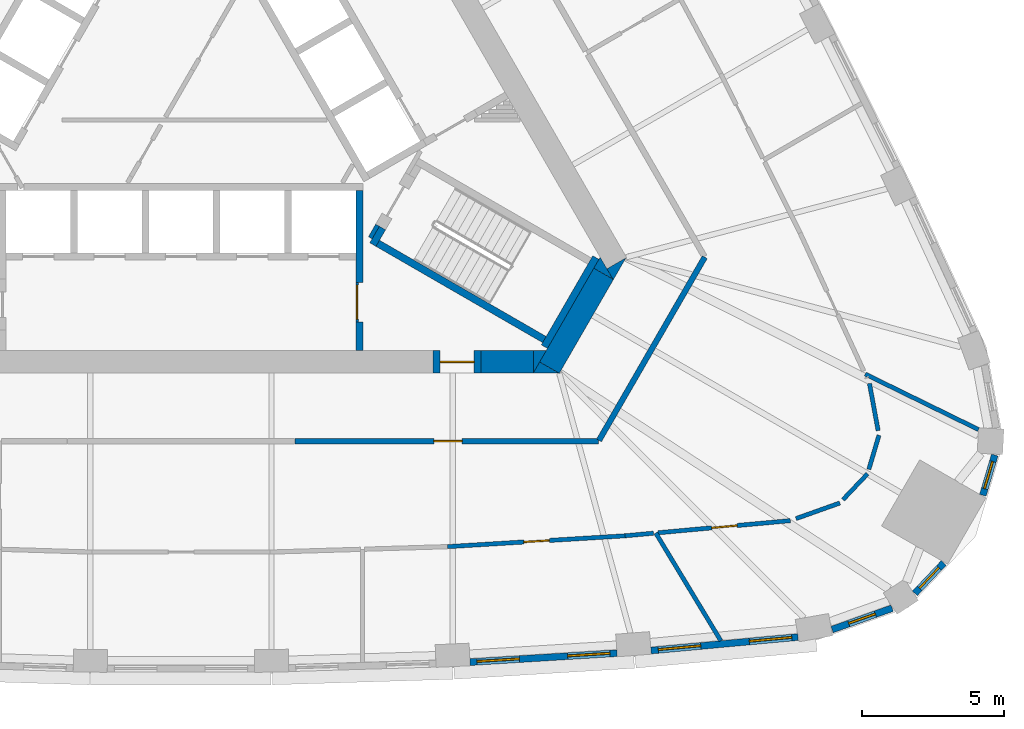
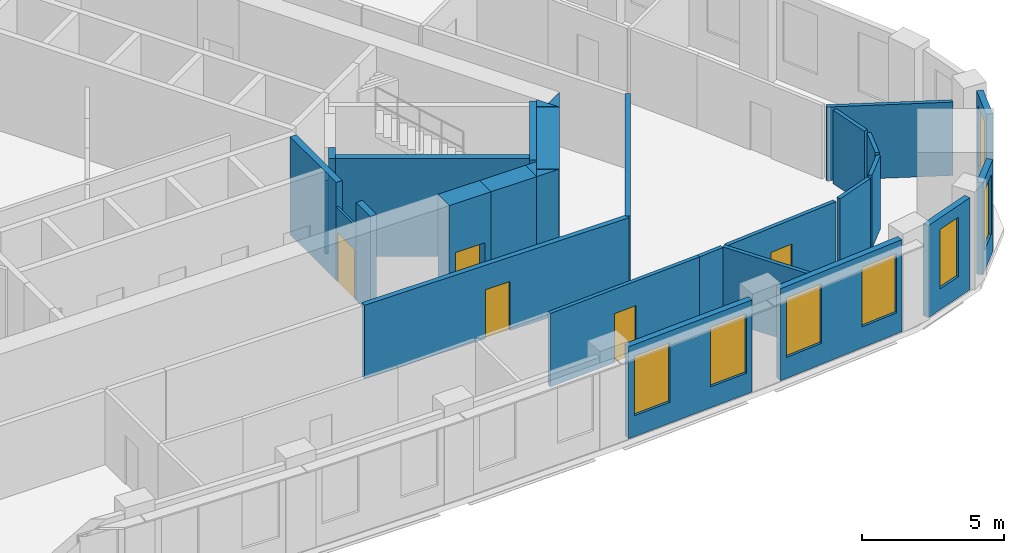
# One storey, part 6 of 11: 30 walls, 7 windows, 5 doors, 12 openings.
"""IFC4 building model written with IfcOpenShell, lengths in metres."""

from ifc_helpers import new_model, si_unit, direction, frame, frame_2d, origin, place, context, subcontext, project, spatial, polyline, rectangle, outline, extrude, material, layer, layer_set, type_object, element, fill, save


model = new_model("IFC4")

# Units and contexts
model_context = context("Model", 3, precision=1e-05, world=origin(), true_north=direction((0.0, 1.0)))
body_context = subcontext(model_context, "Body", "Model", "MODEL_VIEW")
ifc_project = project(units=[si_unit("LENGTHUNIT", "METRE"), si_unit("AREAUNIT", "SQUARE_METRE"), si_unit("VOLUMEUNIT", "CUBIC_METRE"), si_unit("PLANEANGLEUNIT", "RADIAN"), si_unit("MASSUNIT", "GRAM", prefix="KILO")], contexts=[model_context])

# Site, building, storey
site_placement = place(None, origin())
site = spatial("IfcSite", under=ifc_project, at=site_placement, CompositionType="ELEMENT")
building_placement = place(site_placement, origin())
building = spatial("IfcBuilding", under=site, at=building_placement, Name="Mestral Congress Tower", CompositionType="ELEMENT")
storey_placement = place(building_placement, frame((0.0, 0.0, 171.0)))
storey = spatial("IfcBuildingStorey", under=building, at=storey_placement, Name="L40", CompositionType="ELEMENT", Elevation=171.0)

# Wall
ifc_material_1 = material(Name="Fire-rated board partition")
ifc_layer_1 = layer(ifc_material_1, 0.14990234375)
ifc_layer_set_1 = layer_set([ifc_layer_1], Name="Fire-rated board partition")
wall_type_1 = type_object("IfcWallType", Name="Core partition 150", PredefinedType="PARTITIONING", material=ifc_layer_set_1)
wall_1_placement = place(storey_placement, frame((6.94482421875, -5.22216796875, 0.0), z_axis=(0.0, 0.0, 1.0), x_axis=(-0.499818422106, -0.866130212453, 0.0)))
element("IfcWall", 1, at=wall_1_placement, inside=storey, type_object=wall_type_1, Name="L40 core wall", PredefinedType="PARTITIONING", context=body_context, shape_type="SweptSolid", body=[
    extrude(rectangle(XDim=0.513916015625, YDim=0.14990234375, at=frame_2d((0.2568359375, 0.0))), origin(), (0.0, 0.0, 1.0), 3.14990234375),
])

# Wall, opening, door
ifc_layer_2 = layer(ifc_material_1, 0.090087890625)
ifc_layer_set_2 = layer_set([ifc_layer_2], Name="Fire-rated board partition")
wall_type_2 = type_object("IfcWallType", Name="Core partition 150 door-wall 90", PredefinedType="PARTITIONING", material=ifc_layer_set_2)
wall_2_placement = place(storey_placement, frame((6.219970703125, -7.23681640625, 0.0), z_axis=(0.0, 0.0, 1.0), x_axis=(0.0, -1.0, 0.0)))
wall_2 = element("IfcWall", 2, at=wall_2_placement, inside=storey, type_object=wall_type_2, Name="L40 door wall", PredefinedType="PARTITIONING", context=body_context, shape_type="SweptSolid", body=[
    extrude(rectangle(XDim=1.400146484375, YDim=0.090087890625, at=frame_2d((0.7001953125, 0.0))), origin(), (0.0, 0.0, 1.0), 3.14990234375),
])
opening_1_placement = place(wall_2_placement, frame((0.10009765625, 0.0, 0.0)))
opening_1 = element("IfcOpeningElement", 3, at=opening_1_placement, cuts=wall_2, Name="Opening LB0-WL1", PredefinedType="OPENING", context=body_context, shape_type="SweptSolid", body=[
    extrude(rectangle(XDim=1.199951171875, YDim=2.10009765625, at=frame_2d((0.60009765625, 1.050048828125))), frame((0.0, 0.054931640625, 0.0), z_axis=(0.0, -1.0, 0.0), x_axis=(1.0, 0.0, 0.0)), (0.0, 0.0, 1.0), 0.110107421875),
])
ifc_material_2 = material(Name="Fire-rated steel door set", Category="steel")
door_type_1 = type_object("IfcDoorType", Name="Core door LB 1200x2100", OperationType="SINGLE_SWING_LEFT", PredefinedType="DOOR", material=ifc_material_2)
door_1_placement = place(opening_1_placement, origin())
door_1 = element("IfcDoor", 4, at=door_1_placement, inside=storey, type_object=door_type_1, Name="Door LB0-WL1", OperationType="SINGLE_SWING_LEFT", OverallHeight=2.10009765625, OverallWidth=1.199951171875, PredefinedType="DOOR", context=body_context, shape_type="SweptSolid", body=[
    extrude(rectangle(XDim=1.199951171875, YDim=2.10009765625, at=frame_2d((0.60009765625, 1.050048828125))), frame((0.0, 0.02490234375, 0.0), z_axis=(0.0, -1.0, 0.0), x_axis=(1.0, 0.0, 0.0)), (0.0, 0.0, 1.0), 0.050048828125),
])
fill(opening_1, door_1)

# Walls
ifc_material_3 = material(Name="Concrete C60/75", Category="concrete")
ifc_layer_3 = layer(ifc_material_3, 0.800048828125)
ifc_layer_set_3 = layer_set([ifc_layer_3], Name="Concrete C60/75")
wall_type_3 = type_object("IfcWallType", Name="Core wall RC 800", PredefinedType="SOLIDWALL", material=ifc_layer_set_3)
placement = place(storey_placement, origin())
element("IfcWall", 5, at=placement, inside=storey, type_object=wall_type_3, Name="L40 core wall", PredefinedType="SOLIDWALL", context=body_context, shape_type="SweptSolid", body=[
    extrude(outline(polyline([(15.27099609375, -7.14990234375), (15.046875, -6.761962890625), (15.718994140625, -6.3740234375), (15.27099609375, -7.14990234375)])), origin(), (0.0, 0.0, 1.0), 4.199951171875),
])
wall_4_placement = place(storey_placement, frame((13.018310546875, -10.251708984375, 0.0), z_axis=(0.0, 0.0, 1.0), x_axis=(0.499984020225, 0.866034629516, 0.0)))
element("IfcWall", 6, at=wall_4_placement, inside=storey, type_object=wall_type_3, Name="L40 core wall", PredefinedType="SOLIDWALL", context=body_context, shape_type="SweptSolid", body=[
    extrude(rectangle(XDim=3.824462890625, YDim=0.800048828125, at=frame_2d((1.912109375, 0.0))), origin(), (0.0, 0.0, 1.0), 4.199951171875),
])
element("IfcWall", 7, at=placement, inside=storey, type_object=wall_type_3, Name="L40 core wall", PredefinedType="SOLIDWALL", context=body_context, shape_type="SweptSolid", body=[
    extrude(outline(polyline([(12.44189453125, -10.449951171875), (12.6708984375, -10.053466796875), (13.35791015625, -10.449951171875), (12.44189453125, -10.449951171875)])), origin(), (0.0, 0.0, 1.0), 4.199951171875),
])
element("IfcWall", 8, at=placement, inside=storey, type_object=wall_type_3, Name="L40 core wall", PredefinedType="SOLIDWALL", context=body_context, shape_type="SweptSolid", body=[
    extrude(outline(polyline([(14.80908203125, -6.35009765625), (15.257080078125, -7.1259765625), (14.5849609375, -6.738037109375), (14.80908203125, -6.35009765625)])), origin(), (0.0, 0.0, 1.0), 4.199951171875),
])
wall_7_placement = place(storey_placement, frame((10.6044921875, -10.050048828125, 0.0), z_axis=(0.0, 0.0, 1.0), x_axis=(1.0, 0.0, 0.0)))
element("IfcWall", 9, at=wall_7_placement, inside=storey, type_object=wall_type_3, Name="L40 core wall", PredefinedType="SOLIDWALL", context=body_context, shape_type="SweptSolid", body=[
    extrude(rectangle(XDim=1.849365234375, YDim=0.800048828125, at=frame_2d((0.9248046875, 0.0))), origin(), (0.0, 0.0, 1.0), 4.199951171875),
])
element("IfcWall", 10, at=placement, inside=storey, type_object=wall_type_3, Name="L40 core wall", PredefinedType="SOLIDWALL", context=body_context, shape_type="SweptSolid", body=[
    extrude(outline(polyline([(12.90380859375, -9.64990234375), (12.455810546875, -10.42578125), (12.455810546875, -9.64990234375), (12.90380859375, -9.64990234375)])), origin(), (0.0, 0.0, 1.0), 4.199951171875),
])

# Wall, opening, door
wall_9_placement = place(storey_placement, frame((10.6044921875, -10.050048828125, 0.0), z_axis=(0.0, 0.0, 1.0), x_axis=(-1.0, 0.0, 0.0)))
wall_9 = element("IfcWall", 11, at=wall_9_placement, inside=storey, type_object=wall_type_3, Name="L40 door wall", PredefinedType="SOLIDWALL", context=body_context, shape_type="SweptSolid", body=[
    extrude(rectangle(XDim=1.699951171875, YDim=0.800048828125, at=frame_2d((0.85009765625, 0.0))), origin(), (0.0, 0.0, 1.0), 4.199951171875),
])
opening_2_placement = place(wall_9_placement, frame((0.25, 0.0, 0.0)))
opening_2 = element("IfcOpeningElement", 12, at=opening_2_placement, cuts=wall_9, Name="Opening XD1", PredefinedType="OPENING", context=body_context, shape_type="SweptSolid", body=[
    extrude(rectangle(XDim=1.199951171875, YDim=2.10009765625, at=frame_2d((0.60009765625, 1.050048828125))), frame((0.0, 0.409912109375, 0.0), z_axis=(0.0, -1.0, 0.0), x_axis=(1.0, 0.0, 0.0)), (0.0, 0.0, 1.0), 0.820068359375),
])
door_type_2 = type_object("IfcDoorType", Name="Core door XD 1200x2100", OperationType="SINGLE_SWING_LEFT", PredefinedType="DOOR", material=ifc_material_2)
door_2_placement = place(opening_2_placement, origin())
door_2 = element("IfcDoor", 13, at=door_2_placement, inside=storey, type_object=door_type_2, Name="Door XD1", OperationType="SINGLE_SWING_LEFT", OverallHeight=2.10009765625, OverallWidth=1.199951171875, PredefinedType="DOOR", context=body_context, shape_type="SweptSolid", body=[
    extrude(rectangle(XDim=1.199951171875, YDim=2.10009765625, at=frame_2d((0.60009765625, 1.050048828125))), frame((0.0, 0.02490234375, 0.0), z_axis=(0.0, -1.0, 0.0), x_axis=(1.0, 0.0, 0.0)), (0.0, 0.0, 1.0), 0.050048828125),
])
fill(opening_2, door_2)

# Wall, openings, windows
ifc_material_4 = material(Name="Precast concrete C40/50 with limestone facing", Category="masonry")
ifc_layer_4 = layer(ifc_material_4, 0.239990234375)
ifc_layer_set_4 = layer_set([ifc_layer_4], Name="Precast concrete C40/50 with limestone facing")
wall_type_4 = type_object("IfcWallType", Name="Facade stone wall 240", PredefinedType="SOLIDWALL", material=ifc_layer_set_4)
wall_10_placement = place(storey_placement, frame((10.210693359375, -20.656005859375, 0.0), z_axis=(0.0, 0.0, 1.0), x_axis=(0.998135294646, 0.061040425794, 0.0)))
wall_10 = element("IfcWall", 14, at=wall_10_placement, inside=storey, type_object=wall_type_4, Name="Facade wall F0-05", PredefinedType="SOLIDWALL", context=body_context, shape_type="SweptSolid", body=[
    extrude(rectangle(XDim=5.20361328125, YDim=0.239990234375, at=frame_2d((2.601806640625, 0.0))), origin(), (0.0, 0.0, 1.0), 3.949951171875),
])
opening_3_placement = place(wall_10_placement, frame((0.248291015625, 0.0, 0.89990234375)))
opening_3 = element("IfcOpeningElement", 15, at=opening_3_placement, cuts=wall_10, Name="Opening W4", PredefinedType="OPENING", context=body_context, shape_type="SweptSolid", body=[
    extrude(rectangle(XDim=1.5, YDim=2.550048828125, at=frame_2d((0.75, 1.27490234375))), frame((0.0, 0.1298828125, 0.0), z_axis=(0.0, -1.0, 0.0), x_axis=(1.0, 0.0, 0.0)), (0.0, 0.0, 1.0), 0.260009765625),
])
opening_4_placement = place(wall_10_placement, frame((3.455078125, 0.0, 0.89990234375)))
opening_4 = element("IfcOpeningElement", 16, at=opening_4_placement, cuts=wall_10, Name="Opening W4", PredefinedType="OPENING", context=body_context, shape_type="SweptSolid", body=[
    extrude(rectangle(XDim=1.5, YDim=2.550048828125, at=frame_2d((0.75, 1.27490234375))), frame((0.0, 0.1298828125, 0.0), z_axis=(0.0, -1.0, 0.0), x_axis=(1.0, 0.0, 0.0)), (0.0, 0.0, 1.0), 0.260009765625),
])
ifc_material_5 = material(Name="Clear low-emissivity double glazing", Category="glass")
window_type_1 = type_object("IfcWindowType", Name="Facade punched window 1500 x 2550 sill 900", PartitioningType="SINGLE_PANEL", PredefinedType="WINDOW", material=ifc_material_5)
window_1_placement = place(opening_3_placement, origin())
window_1 = element("IfcWindow", 17, at=window_1_placement, inside=storey, type_object=window_type_1, Name="Window F0-05a", OverallHeight=2.550048828125, OverallWidth=1.5, PartitioningType="SINGLE_PANEL", PredefinedType="WINDOW", context=body_context, shape_type="SweptSolid", body=[
    extrude(rectangle(XDim=1.5, YDim=2.550048828125, at=frame_2d((0.75, 1.27490234375))), frame((0.0, 0.0400390625, 0.0), z_axis=(0.0, -1.0, 0.0), x_axis=(1.0, 0.0, 0.0)), (0.0, 0.0, 1.0), 0.06005859375),
])
fill(opening_3, window_1)
window_2_placement = place(opening_4_placement, origin())
window_2 = element("IfcWindow", 18, at=window_2_placement, inside=storey, type_object=window_type_1, Name="Window F0-05b", OverallHeight=2.550048828125, OverallWidth=1.5, PartitioningType="SINGLE_PANEL", PredefinedType="WINDOW", context=body_context, shape_type="SweptSolid", body=[
    extrude(rectangle(XDim=1.5, YDim=2.550048828125, at=frame_2d((0.75, 1.27490234375))), frame((0.0, 0.0400390625, 0.0), z_axis=(0.0, -1.0, 0.0), x_axis=(1.0, 0.0, 0.0)), (0.0, 0.0, 1.0), 0.06005859375),
])
fill(opening_4, window_2)

wall_11_placement = place(storey_placement, frame((16.605712890625, -20.24658203125, 0.0), z_axis=(0.0, 0.0, 1.0), x_axis=(0.995808712151, 0.091460422067, 0.0)))
wall_11 = element("IfcWall", 19, at=wall_11_placement, inside=storey, type_object=wall_type_4, Name="Facade wall F0-06", PredefinedType="SOLIDWALL", context=body_context, shape_type="SweptSolid", body=[
    extrude(rectangle(XDim=5.213134765625, YDim=0.239990234375, at=frame_2d((2.6064453125, 0.0))), origin(), (0.0, 0.0, 1.0), 3.949951171875),
])
opening_5_placement = place(wall_11_placement, frame((0.2607421875, 0.0, 0.89990234375)))
opening_5 = element("IfcOpeningElement", 20, at=opening_5_placement, cuts=wall_11, Name="Opening W4", PredefinedType="OPENING", context=body_context, shape_type="SweptSolid", body=[
    extrude(rectangle(XDim=1.5, YDim=2.550048828125, at=frame_2d((0.75, 1.27490234375))), frame((0.0, 0.1298828125, 0.0), z_axis=(0.0, -1.0, 0.0), x_axis=(1.0, 0.0, 0.0)), (0.0, 0.0, 1.0), 0.260009765625),
])
opening_6_placement = place(wall_11_placement, frame((3.492431640625, 0.0, 0.89990234375)))
opening_6 = element("IfcOpeningElement", 21, at=opening_6_placement, cuts=wall_11, Name="Opening W4", PredefinedType="OPENING", context=body_context, shape_type="SweptSolid", body=[
    extrude(rectangle(XDim=1.5, YDim=2.550048828125, at=frame_2d((0.75, 1.27490234375))), frame((0.0, 0.1298828125, 0.0), z_axis=(0.0, -1.0, 0.0), x_axis=(1.0, 0.0, 0.0)), (0.0, 0.0, 1.0), 0.260009765625),
])
window_3_placement = place(opening_5_placement, origin())
window_3 = element("IfcWindow", 22, at=window_3_placement, inside=storey, type_object=window_type_1, Name="Window F0-06a", OverallHeight=2.550048828125, OverallWidth=1.5, PartitioningType="SINGLE_PANEL", PredefinedType="WINDOW", context=body_context, shape_type="SweptSolid", body=[
    extrude(rectangle(XDim=1.5, YDim=2.550048828125, at=frame_2d((0.75, 1.27490234375))), frame((0.0, 0.0400390625, 0.0), z_axis=(0.0, -1.0, 0.0), x_axis=(1.0, 0.0, 0.0)), (0.0, 0.0, 1.0), 0.06005859375),
])
fill(opening_5, window_3)
window_4_placement = place(opening_6_placement, origin())
window_4 = element("IfcWindow", 23, at=window_4_placement, inside=storey, type_object=window_type_1, Name="Window F0-06b", OverallHeight=2.550048828125, OverallWidth=1.5, PartitioningType="SINGLE_PANEL", PredefinedType="WINDOW", context=body_context, shape_type="SweptSolid", body=[
    extrude(rectangle(XDim=1.5, YDim=2.550048828125, at=frame_2d((0.75, 1.27490234375))), frame((0.0, 0.0400390625, 0.0), z_axis=(0.0, -1.0, 0.0), x_axis=(1.0, 0.0, 0.0)), (0.0, 0.0, 1.0), 0.06005859375),
])
fill(opening_6, window_4)

# Wall, opening, window
wall_12_placement = place(storey_placement, frame((23.0009765625, -19.50537109375, 0.0), z_axis=(0.0, 0.0, 1.0), x_axis=(0.942099727267, 0.335332825539, 0.0)))
wall_12 = element("IfcWall", 24, at=wall_12_placement, inside=storey, type_object=wall_type_4, Name="Facade wall K0-0", PredefinedType="SOLIDWALL", context=body_context, shape_type="SweptSolid", body=[
    extrude(rectangle(XDim=2.25048828125, YDim=0.239990234375, at=frame_2d((1.125244140625, 0.0))), origin(), (0.0, 0.0, 1.0), 3.949951171875),
])
opening_7_placement = place(wall_12_placement, frame((0.625244140625, 0.0, 0.89990234375)))
opening_7 = element("IfcOpeningElement", 25, at=opening_7_placement, cuts=wall_12, Name="Opening W5", PredefinedType="OPENING", context=body_context, shape_type="SweptSolid", body=[
    extrude(rectangle(XDim=1.0, YDim=2.550048828125, at=frame_2d((0.5, 1.27490234375))), frame((0.0, 0.1298828125, 0.0), z_axis=(0.0, -1.0, 0.0), x_axis=(1.0, 0.0, 0.0)), (0.0, 0.0, 1.0), 0.260009765625),
])
window_type_2 = type_object("IfcWindowType", Name="Facade punched window 1000 x 2550 sill 900", PartitioningType="SINGLE_PANEL", PredefinedType="WINDOW", material=ifc_material_5)
window_5_placement = place(opening_7_placement, origin())
window_5 = element("IfcWindow", 26, at=window_5_placement, inside=storey, type_object=window_type_2, Name="Window K0-0", OverallHeight=2.550048828125, OverallWidth=1.0, PartitioningType="SINGLE_PANEL", PredefinedType="WINDOW", context=body_context, shape_type="SweptSolid", body=[
    extrude(rectangle(XDim=1.0, YDim=2.550048828125, at=frame_2d((0.5, 1.27490234375))), frame((0.0, 0.0400390625, 0.0), z_axis=(0.0, -1.0, 0.0), x_axis=(1.0, 0.0, 0.0)), (0.0, 0.0, 1.0), 0.06005859375),
])
fill(opening_7, window_5)

wall_13_placement = place(storey_placement, frame((25.9267578125, -18.226318359375, 0.0), z_axis=(0.0, 0.0, 1.0), x_axis=(0.687986858937, 0.725723144133, 0.0)))
wall_13 = element("IfcWall", 27, at=wall_13_placement, inside=storey, type_object=wall_type_4, Name="Facade wall K0-1", PredefinedType="SOLIDWALL", context=body_context, shape_type="SweptSolid", body=[
    extrude(rectangle(XDim=1.4814453125, YDim=0.239990234375, at=frame_2d((0.74072265625, 0.0))), origin(), (0.0, 0.0, 1.0), 3.949951171875),
])
opening_8_placement = place(wall_13_placement, frame((0.24072265625, 0.0, 0.89990234375)))
opening_8 = element("IfcOpeningElement", 28, at=opening_8_placement, cuts=wall_13, Name="Opening W5", PredefinedType="OPENING", context=body_context, shape_type="SweptSolid", body=[
    extrude(rectangle(XDim=1.0, YDim=2.550048828125, at=frame_2d((0.5, 1.27490234375))), frame((0.0, 0.1298828125, 0.0), z_axis=(0.0, -1.0, 0.0), x_axis=(1.0, 0.0, 0.0)), (0.0, 0.0, 1.0), 0.260009765625),
])
window_6_placement = place(opening_8_placement, origin())
window_6 = element("IfcWindow", 29, at=window_6_placement, inside=storey, type_object=window_type_2, Name="Window K0-1", OverallHeight=2.550048828125, OverallWidth=1.0, PartitioningType="SINGLE_PANEL", PredefinedType="WINDOW", context=body_context, shape_type="SweptSolid", body=[
    extrude(rectangle(XDim=1.0, YDim=2.550048828125, at=frame_2d((0.5, 1.27490234375))), frame((0.0, 0.0400390625, 0.0), z_axis=(0.0, -1.0, 0.0), x_axis=(1.0, 0.0, 0.0)), (0.0, 0.0, 1.0), 0.06005859375),
])
fill(opening_8, window_6)

wall_14_placement = place(storey_placement, frame((28.326416015625, -14.760498046875, 0.0), z_axis=(0.0, 0.0, 1.0), x_axis=(0.284413721403, 0.958701640281, 0.0)))
wall_14 = element("IfcWall", 30, at=wall_14_placement, inside=storey, type_object=wall_type_4, Name="Facade wall K0-2", PredefinedType="SOLIDWALL", context=body_context, shape_type="SweptSolid", body=[
    extrude(rectangle(XDim=1.481689453125, YDim=0.239990234375, at=frame_2d((0.74072265625, 0.0))), origin(), (0.0, 0.0, 1.0), 3.949951171875),
])
opening_9_placement = place(wall_14_placement, frame((0.24072265625, 0.0, 0.89990234375)))
opening_9 = element("IfcOpeningElement", 31, at=opening_9_placement, cuts=wall_14, Name="Opening W5", PredefinedType="OPENING", context=body_context, shape_type="SweptSolid", body=[
    extrude(rectangle(XDim=1.0, YDim=2.550048828125, at=frame_2d((0.5, 1.27490234375))), frame((0.0, 0.1298828125, 0.0), z_axis=(0.0, -1.0, 0.0), x_axis=(1.0, 0.0, 0.0)), (0.0, 0.0, 1.0), 0.260009765625),
])
window_7_placement = place(opening_9_placement, origin())
window_7 = element("IfcWindow", 32, at=window_7_placement, inside=storey, type_object=window_type_2, Name="Window K0-2", OverallHeight=2.550048828125, OverallWidth=1.0, PartitioningType="SINGLE_PANEL", PredefinedType="WINDOW", context=body_context, shape_type="SweptSolid", body=[
    extrude(rectangle(XDim=1.0, YDim=2.550048828125, at=frame_2d((0.5, 1.27490234375))), frame((0.0, 0.0400390625, 0.0), z_axis=(0.0, -1.0, 0.0), x_axis=(1.0, 0.0, 0.0)), (0.0, 0.0, 1.0), 0.06005859375),
])
fill(opening_9, window_7)

# Wall
ifc_material_6 = material(Name="Plasterboard partition on steel studs", Category="steel")
ifc_layer_5 = layer(ifc_material_6, 0.14990234375)
ifc_layer_set_5 = layer_set([ifc_layer_5], Name="Plasterboard partition on steel studs")
wall_type_5 = type_object("IfcWallType", Name="Office partition 150", PredefinedType="PARTITIONING", material=ifc_layer_set_5)
wall_15_placement = place(storey_placement, frame((16.772705078125, -16.093994140625, 0.0), z_axis=(0.0, 0.0, 1.0), x_axis=(0.516844039178, -0.856079575253, 0.0)))
element("IfcWall", 33, at=wall_15_placement, inside=storey, type_object=wall_type_5, Name="Partition", PredefinedType="PARTITIONING", context=body_context, shape_type="SweptSolid", body=[
    extrude(rectangle(XDim=4.445556640625, YDim=0.14990234375, at=frame_2d((2.22265625, 0.0))), origin(), (0.0, 0.0, 1.0), 3.14990234375),
])

# Wall, opening, door
wall_16_placement = place(storey_placement, frame((15.691650390625, -16.193115234375, 0.0), z_axis=(0.0, 0.0, 1.0), x_axis=(-0.998137075468, -0.061011298754, 0.0)))
wall_16 = element("IfcWall", 34, at=wall_16_placement, inside=storey, type_object=wall_type_5, Name="Partition", PredefinedType="PARTITIONING", context=body_context, shape_type="SweptSolid", body=[
    extrude(rectangle(XDim=6.282470703125, YDim=0.14990234375, at=frame_2d((3.14111328125, 0.0))), origin(), (0.0, 0.0, 1.0), 3.14990234375),
])
opening_10_placement = place(wall_16_placement, frame((2.6826171875, 0.0, 0.0)))
opening_10 = element("IfcOpeningElement", 35, at=opening_10_placement, cuts=wall_16, Name="Opening O03-003", PredefinedType="OPENING", context=body_context, shape_type="SweptSolid", body=[
    extrude(rectangle(XDim=0.89990234375, YDim=2.10009765625, at=frame_2d((0.449951171875, 1.050048828125))), frame((0.0, 0.0849609375, 0.0), z_axis=(0.0, -1.0, 0.0), x_axis=(1.0, 0.0, 0.0)), (0.0, 0.0, 1.0), 0.169921875),
])
ifc_material_7 = material(Name="Timber door set", Category="wood")
door_type_3 = type_object("IfcDoorType", Name="Office door 900x2100", OperationType="SINGLE_SWING_LEFT", PredefinedType="DOOR", material=ifc_material_7)
door_3_placement = place(opening_10_placement, origin())
door_3 = element("IfcDoor", 36, at=door_3_placement, inside=storey, type_object=door_type_3, Name="Door O03-003", OperationType="SINGLE_SWING_LEFT", OverallHeight=2.10009765625, OverallWidth=0.89990234375, PredefinedType="DOOR", context=body_context, shape_type="SweptSolid", body=[
    extrude(rectangle(XDim=0.89990234375, YDim=2.10009765625, at=frame_2d((0.449951171875, 1.050048828125))), frame((0.0, 0.02490234375, 0.0), z_axis=(0.0, -1.0, 0.0), x_axis=(1.0, 0.0, 0.0)), (0.0, 0.0, 1.0), 0.050048828125),
])
fill(opening_10, door_3)

# Walls
wall_17_placement = place(storey_placement, frame((15.691650390625, -16.193115234375, 0.0), z_axis=(0.0, 0.0, 1.0), x_axis=(0.995818997537, 0.091348366946, 0.0)))
element("IfcWall", 37, at=wall_17_placement, inside=storey, type_object=wall_type_5, Name="Partition", PredefinedType="PARTITIONING", context=body_context, shape_type="SweptSolid", body=[
    extrude(rectangle(XDim=1.002197265625, YDim=0.14990234375, at=frame_2d((0.5009765625, 0.0))), origin(), (0.0, 0.0, 1.0), 3.14990234375),
])
wall_18_placement = place(storey_placement, frame((24.1689453125, -10.479736328125, 0.0), z_axis=(0.0, 0.0, 1.0), x_axis=(0.898142173557, -0.439705169491, 0.0)))
element("IfcWall", 38, at=wall_18_placement, inside=storey, type_object=wall_type_5, Name="Partition", PredefinedType="PARTITIONING", context=body_context, shape_type="SweptSolid", body=[
    extrude(rectangle(XDim=4.45751953125, YDim=0.14990234375, at=frame_2d((2.228759765625, 0.0))), origin(), (0.0, 0.0, 1.0), 3.14990234375),
])

# Wall, opening, door
wall_19_placement = place(storey_placement, frame((21.525146484375, -15.657470703125, 0.0), z_axis=(0.0, 0.0, 1.0), x_axis=(-0.99581172086, -0.091427657734, 0.0)))
wall_19 = element("IfcWall", 39, at=wall_19_placement, inside=storey, type_object=wall_type_5, Name="Partition", PredefinedType="PARTITIONING", context=body_context, shape_type="SweptSolid", body=[
    extrude(rectangle(XDim=4.68896484375, YDim=0.14990234375, at=frame_2d((2.344482421875, 0.0))), origin(), (0.0, 0.0, 1.0), 3.14990234375),
])
opening_11_placement = place(wall_19_placement, frame((1.888916015625, 0.0, 0.0)))
opening_11 = element("IfcOpeningElement", 40, at=opening_11_placement, cuts=wall_19, Name="Opening O03-004", PredefinedType="OPENING", context=body_context, shape_type="SweptSolid", body=[
    extrude(rectangle(XDim=0.89990234375, YDim=2.10009765625, at=frame_2d((0.449951171875, 1.050048828125))), frame((0.0, 0.0849609375, 0.0), z_axis=(0.0, -1.0, 0.0), x_axis=(1.0, 0.0, 0.0)), (0.0, 0.0, 1.0), 0.169921875),
])
door_4_placement = place(opening_11_placement, origin())
door_4 = element("IfcDoor", 41, at=door_4_placement, inside=storey, type_object=door_type_3, Name="Door O03-004", OperationType="SINGLE_SWING_LEFT", OverallHeight=2.10009765625, OverallWidth=0.89990234375, PredefinedType="DOOR", context=body_context, shape_type="SweptSolid", body=[
    extrude(rectangle(XDim=0.89990234375, YDim=2.10009765625, at=frame_2d((0.449951171875, 1.050048828125))), frame((0.0, 0.02490234375, 0.0), z_axis=(0.0, -1.0, 0.0), x_axis=(1.0, 0.0, 0.0)), (0.0, 0.0, 1.0), 0.050048828125),
])
fill(opening_11, door_4)

# Walls
wall_20_placement = place(storey_placement, frame((21.72705078125, -15.585693359375, 0.0), z_axis=(0.0, 0.0, 1.0), x_axis=(0.942087520852, 0.335367116835, 0.0)))
element("IfcWall", 42, at=wall_20_placement, inside=storey, type_object=wall_type_5, Name="Partition", PredefinedType="PARTITIONING", context=body_context, shape_type="SweptSolid", body=[
    extrude(rectangle(XDim=1.643798828125, YDim=0.14990234375, at=frame_2d((0.82177734375, 0.0))), origin(), (0.0, 0.0, 1.0), 3.14990234375),
])
wall_21_placement = place(storey_placement, frame((23.389404296875, -14.914306640625, 0.0), z_axis=(0.0, 0.0, 1.0), x_axis=(0.688003360899, 0.725707499886, 0.0)))
element("IfcWall", 43, at=wall_21_placement, inside=storey, type_object=wall_type_5, Name="Partition", PredefinedType="PARTITIONING", context=body_context, shape_type="SweptSolid", body=[
    extrude(rectangle(XDim=1.256103515625, YDim=0.14990234375, at=frame_2d((0.6279296875, 0.0))), origin(), (0.0, 0.0, 1.0), 3.14990234375),
])
wall_22_placement = place(storey_placement, frame((24.30078125, -13.843994140625, 0.0), z_axis=(0.0, 0.0, 1.0), x_axis=(0.284386145133, 0.958709820778, 0.0)))
element("IfcWall", 44, at=wall_22_placement, inside=storey, type_object=wall_type_5, Name="Partition", PredefinedType="PARTITIONING", context=body_context, shape_type="SweptSolid", body=[
    extrude(rectangle(XDim=1.255859375, YDim=0.14990234375, at=frame_2d((0.6279296875, 0.0))), origin(), (0.0, 0.0, 1.0), 3.14990234375),
])
wall_23_placement = place(storey_placement, frame((24.628173828125, -12.477294921875, 0.0), z_axis=(0.0, 0.0, 1.0), x_axis=(-0.180725554657, 0.98353356521, 0.0)))
element("IfcWall", 45, at=wall_23_placement, inside=storey, type_object=wall_type_5, Name="Partition", PredefinedType="PARTITIONING", context=body_context, shape_type="SweptSolid", body=[
    extrude(rectangle(XDim=1.692626953125, YDim=0.14990234375, at=frame_2d((0.84619140625, 0.0))), origin(), (0.0, 0.0, 1.0), 3.14990234375),
])

# Wall, opening, door
ifc_material_8 = material(Name="Dense masonry wall, plastered", Category="masonry")
ifc_layer_6 = layer(ifc_material_8, 0.199951171875)
ifc_layer_set_6 = layer_set([ifc_layer_6], Name="Dense masonry wall, plastered")
wall_type_6 = type_object("IfcWallType", Name="Office tenancy wall 200", PredefinedType="PARTITIONING", material=ifc_layer_set_6)
wall_24_placement = place(storey_placement, frame((4.033935546875, -12.85009765625, 0.0), z_axis=(0.0, 0.0, 1.0), x_axis=(1.0, 0.0, 0.0)))
wall_24 = element("IfcWall", 46, at=wall_24_placement, inside=storey, type_object=wall_type_6, Name="Tenancy wall", PredefinedType="PARTITIONING", context=body_context, shape_type="SweptSolid", body=[
    extrude(rectangle(XDim=10.71728515625, YDim=0.199951171875, at=frame_2d((5.358642578125, 0.0))), origin(), (0.0, 0.0, 1.0), 3.14990234375),
])
opening_12_placement = place(wall_24_placement, frame((4.89990234375, 0.0, 0.0)))
opening_12 = element("IfcOpeningElement", 47, at=opening_12_placement, cuts=wall_24, Name="Opening O03-007", PredefinedType="OPENING", context=body_context, shape_type="SweptSolid", body=[
    extrude(rectangle(XDim=1.0, YDim=2.10009765625, at=frame_2d((0.5, 1.050048828125))), frame((0.0, 0.10986328125, 0.0), z_axis=(0.0, -1.0, 0.0), x_axis=(1.0, 0.0, 0.0)), (0.0, 0.0, 1.0), 0.219970703125),
])
ifc_material_9 = material(Name="Fire-rated timber door set", Category="wood")
door_type_4 = type_object("IfcDoorType", Name="Office tenancy entrance door 1000x2100", OperationType="SINGLE_SWING_LEFT", PredefinedType="DOOR", material=ifc_material_9)
door_5_placement = place(opening_12_placement, origin())
door_5 = element("IfcDoor", 48, at=door_5_placement, inside=storey, type_object=door_type_4, Name="Door O03-007", OperationType="SINGLE_SWING_RIGHT", OverallHeight=2.10009765625, OverallWidth=1.0, PredefinedType="DOOR", context=body_context, shape_type="SweptSolid", body=[
    extrude(rectangle(XDim=1.0, YDim=2.10009765625, at=frame_2d((0.5, 1.050048828125))), frame((0.0, 0.02490234375, 0.0), z_axis=(0.0, -1.0, 0.0), x_axis=(1.0, 0.0, 0.0)), (0.0, 0.0, 1.0), 0.050048828125),
])
fill(opening_12, door_5)

# Walls
wall_25_placement = place(storey_placement, frame((14.766357421875, -12.823974609375, 0.0), z_axis=(0.0, 0.0, 1.0), x_axis=(0.500009869004, 0.866019705837, 0.0)))
element("IfcWall", 49, at=wall_25_placement, inside=storey, type_object=wall_type_6, Name="Tenancy wall", PredefinedType="PARTITIONING", context=body_context, shape_type="SweptSolid", body=[
    extrude(rectangle(XDim=7.475341796875, YDim=0.199951171875, at=frame_2d((3.73779296875, 0.0))), origin(), (0.0, 0.0, 1.0), 3.14990234375),
])
ifc_layer_7 = layer(ifc_material_3, 0.25)
ifc_layer_set_7 = layer_set([ifc_layer_7], Name="Concrete C60/75")
wall_type_7 = type_object("IfcWallType", Name="Shaft wall RC 250", PredefinedType="SOLIDWALL", material=ifc_layer_set_7)
wall_26_placement = place(storey_placement, frame((6.300048828125, -7.239990234375, 0.0), z_axis=(0.0, 0.0, 1.0), x_axis=(0.0, 1.0, 0.0)))
element("IfcWall", 50, at=wall_26_placement, inside=storey, type_object=wall_type_7, Name="L40 core wall", PredefinedType="SOLIDWALL", context=body_context, shape_type="SweptSolid", body=[
    extrude(rectangle(XDim=3.239990234375, YDim=0.25, at=frame_2d((1.6201171875, 0.0))), origin(), (0.0, 0.0, 1.0), 4.199951171875),
])
wall_27_placement = place(storey_placement, frame((6.300048828125, -9.64990234375, 0.0), z_axis=(0.0, 0.0, 1.0), x_axis=(0.0, 1.0, 0.0)))
element("IfcWall", 51, at=wall_27_placement, inside=storey, type_object=wall_type_7, Name="L40 core wall", PredefinedType="SOLIDWALL", context=body_context, shape_type="SweptSolid", body=[
    extrude(rectangle(XDim=1.0078125, YDim=0.25, at=frame_2d((0.50390625, 0.0))), origin(), (0.0, 0.0, 1.0), 4.199951171875),
])
ifc_layer_8 = layer(ifc_material_3, 0.25)
ifc_layer_set_8 = layer_set([ifc_layer_8], Name="Concrete C60/75")
wall_type_8 = type_object("IfcWallType", Name="Stair wall RC 250", PredefinedType="SOLIDWALL", material=ifc_layer_set_8)
wall_28_placement = place(storey_placement, frame((12.839599609375, -9.510986328125, 0.0), z_axis=(0.0, 0.0, 1.0), x_axis=(0.499997733992, 0.866026712061, 0.0)))
element("IfcWall", 52, at=wall_28_placement, inside=storey, type_object=wall_type_8, Name="L40 core wall", PredefinedType="SOLIDWALL", context=body_context, shape_type="SweptSolid", body=[
    extrude(rectangle(XDim=3.6337890625, YDim=0.25, at=frame_2d((1.81689453125, 0.0))), origin(), (0.0, 0.0, 1.0), 4.199951171875),
])
wall_29_placement = place(storey_placement, frame((12.83984375, -9.2607421875, 0.0), z_axis=(0.0, 0.0, 1.0), x_axis=(-0.866013990052, 0.500019768644, 0.0)))
element("IfcWall", 53, at=wall_29_placement, inside=storey, type_object=wall_type_8, Name="L40 core wall", PredefinedType="SOLIDWALL", context=body_context, shape_type="SweptSolid", body=[
    extrude(rectangle(XDim=6.800048828125, YDim=0.25, at=frame_2d((3.39990234375, 0.0))), origin(), (0.0, 0.0, 1.0), 4.199951171875),
])
wall_30_placement = place(storey_placement, frame((6.780029296875, -5.906494140625, 0.0), z_axis=(0.0, 0.0, 1.0), x_axis=(0.500223362819, 0.865896406789, 0.0)))
element("IfcWall", 54, at=wall_30_placement, inside=storey, type_object=wall_type_8, Name="L40 core wall", PredefinedType="SOLIDWALL", context=body_context, shape_type="SweptSolid", body=[
    extrude(rectangle(XDim=0.675048828125, YDim=0.25, at=frame_2d((0.33740234375, 0.0))), origin(), (0.0, 0.0, 1.0), 4.199951171875),
])

save(model, "model.ifc")
